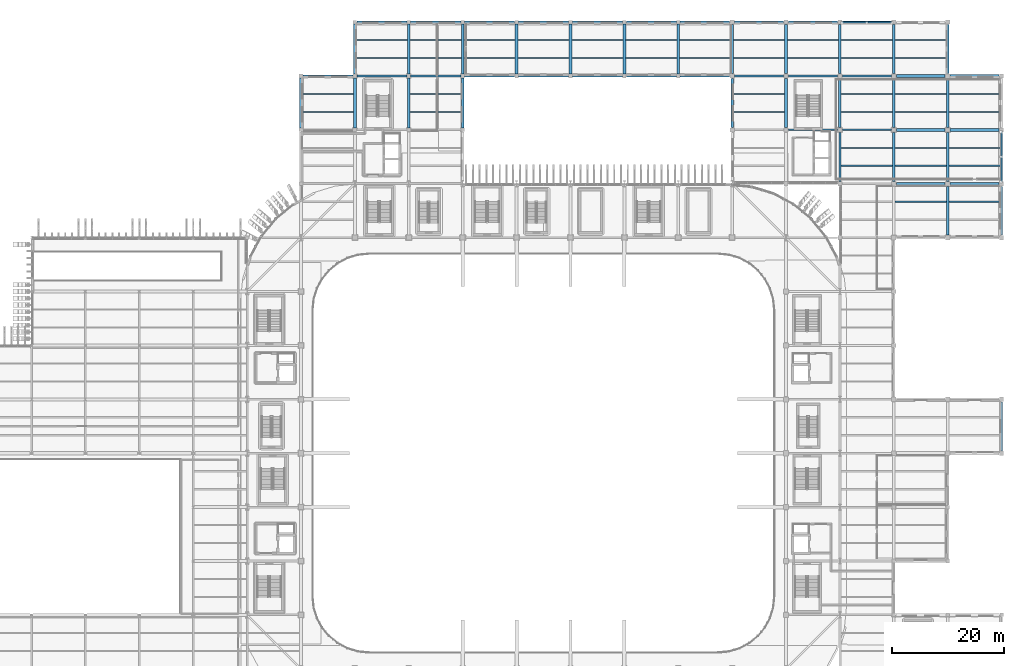
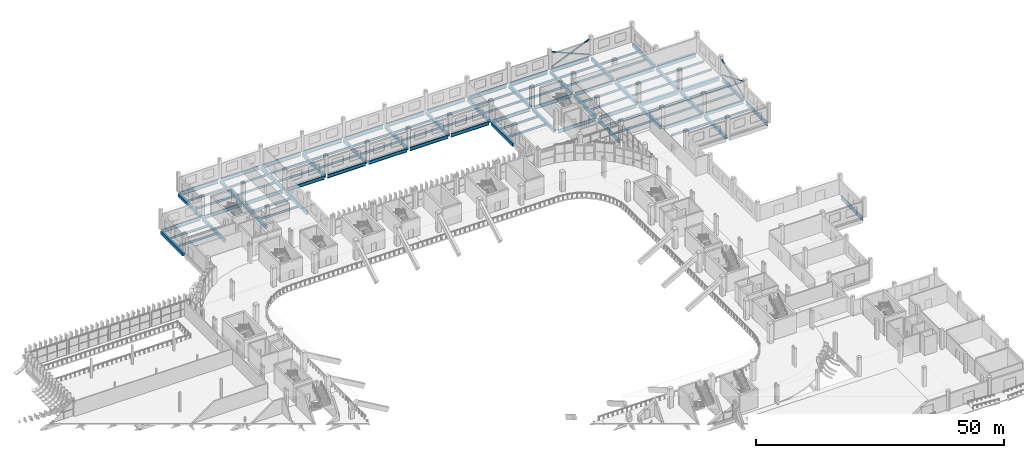
# One storey, part 38 of 100: 99 beams, 6 members.
"""IFC4 building model written with IfcOpenShell, lengths in metres."""

from ifc_helpers import new_model, si_unit, direction, frame, origin, origin_2d, place, context, subcontext, project, spatial, rectangle, hollow_rectangle, i_section, extrude, material, material_profile, profile_set, type_object, element, save


model = new_model("IFC4")

# Units and contexts
model_context = context("Model", 3, precision=1e-05, world=origin(), true_north=direction((0.0, 1.0)))
body_context = subcontext(model_context, "Body", "Model", "MODEL_VIEW")
ifc_project = project(units=[si_unit("LENGTHUNIT", "METRE"), si_unit("AREAUNIT", "SQUARE_METRE"), si_unit("VOLUMEUNIT", "CUBIC_METRE"), si_unit("PLANEANGLEUNIT", "RADIAN"), si_unit("MASSUNIT", "GRAM", prefix="KILO")], contexts=[model_context])

# Site, building, storey
site_placement = place(None, origin())
site = spatial("IfcSite", under=ifc_project, at=site_placement, CompositionType="ELEMENT")
building_placement = place(site_placement, origin())
building = spatial("IfcBuilding", under=site, at=building_placement, Name="Caelomonte Colonnade Arena", CompositionType="ELEMENT")
storey_placement = place(building_placement, origin())
storey = spatial("IfcBuildingStorey", under=building, at=storey_placement, Name="L00", CompositionType="ELEMENT", Elevation=0.0)

# Members
ifc_material_1 = material(Name="Steel ASTM A500 Grade C", Category="steel")
ifc_material_profile_1 = material_profile(ifc_material_1, hollow_rectangle(XDim=0.25390625, YDim=0.25390625, WallThickness=0.009521484375, InnerFilletRadius=0.009521484375, OuterFilletRadius=0.01904296875, at=origin_2d()), Name="HSS254X254X9.5")
ifc_profile_set_1 = profile_set([ifc_material_profile_1], Name="Steel ASTM A500 Grade C")
member_type = type_object("IfcMemberType", Name="STR-BF-DIAG2", PredefinedType="BRACE", material=ifc_profile_set_1)
member_1_placement = place(storey_placement, frame((163.563720703125, 144.0, 0.16162109375), z_axis=(0.920106108092, 0.0, 0.3916691842), x_axis=(0.0, 1.0, 0.0)))
element("IfcMember", 1, at=member_1_placement, inside=storey, type_object=member_type, Name="Braced frame BF3 L00 continuous diagonal A", PredefinedType="BRACE", context=body_context, shape_type="SweptSolid", body=[
    extrude(hollow_rectangle(XDim=0.25390625, YDim=0.25390625, WallThickness=0.009521484375, InnerFilletRadius=0.009521484375, OuterFilletRadius=0.01904296875, at=origin_2d()), origin(), (0.0, 0.0, 1.0), 9.64306640625),
])
for number, where, z_axis, x_axis, name in (
    (2, (172.436279296875, 144.0, 0.16162109375), (-0.920123691246, 0.0, 0.391627875423), (0.0, -1.0, 0.0), "Braced frame BF3 L00 split diagonal B1"),
    (3, (167.84912109375, 144.0, 2.1142578125), (-0.920104801315, 0.0, 0.391672254055), (0.0, -1.0, 0.0), "Braced frame BF3 L00 split diagonal B2"),
):
    element("IfcMember", number, at=place(storey_placement, frame(where, z_axis=z_axis, x_axis=x_axis)), inside=storey, type_object=member_type, Name=name, PredefinedType="BRACE", context=body_context, shape_type="SweptSolid", body=[
        extrude(hollow_rectangle(XDim=0.25390625, YDim=0.25390625, WallThickness=0.009521484375, InnerFilletRadius=0.009521484375, OuterFilletRadius=0.01904296875, at=origin_2d()), origin(), (0.0, 0.0, 1.0), 4.657470703125),
    ])
member_2_placement = place(storey_placement, frame((192.0, 115.563720703125, 0.16162109375), z_axis=(0.0, 0.920106108092, 0.3916691842), x_axis=(-1.0, 0.0, 0.0)))
element("IfcMember", 4, at=member_2_placement, inside=storey, type_object=member_type, Name="Braced frame BF4 L00 continuous diagonal A", PredefinedType="BRACE", context=body_context, shape_type="SweptSolid", body=[
    extrude(hollow_rectangle(XDim=0.25390625, YDim=0.25390625, WallThickness=0.009521484375, InnerFilletRadius=0.009521484375, OuterFilletRadius=0.01904296875, at=origin_2d()), origin(), (0.0, 0.0, 1.0), 9.64306640625),
])
for number, where, z_axis, x_axis, name in (
    (5, (192.0, 124.436279296875, 0.16162109375), (0.0, -0.920123691246, 0.391627875423), (1.0, 0.0, 0.0), "Braced frame BF4 L00 split diagonal B1"),
    (6, (192.0, 119.84912109375, 2.1142578125), (0.0, -0.920104801315, 0.391672254055), (1.0, 0.0, 0.0), "Braced frame BF4 L00 split diagonal B2"),
):
    element("IfcMember", number, at=place(storey_placement, frame(where, z_axis=z_axis, x_axis=x_axis)), inside=storey, type_object=member_type, Name=name, PredefinedType="BRACE", context=body_context, shape_type="SweptSolid", body=[
        extrude(hollow_rectangle(XDim=0.25390625, YDim=0.25390625, WallThickness=0.009521484375, InnerFilletRadius=0.009521484375, OuterFilletRadius=0.01904296875, at=origin_2d()), origin(), (0.0, 0.0, 1.0), 4.657470703125),
    ])

# Beams
ifc_material_2 = material(Name="Wide-flange steel ASTM A992 Grade 50", Category="steel")
ifc_material_profile_2 = material_profile(ifc_material_2, i_section(OverallWidth=0.307861328125, OverallDepth=0.927001953125, WebThickness=0.019287109375, FlangeThickness=0.031982421875, FilletRadius=0.020263671875, at=origin_2d()), Name="W36X194")
ifc_profile_set_2 = profile_set([ifc_material_profile_2], Name="Wide-flange steel ASTM A992 Grade 50")
beam_type_1 = type_object("IfcBeamType", Name="STR-BM-EAVES2", PredefinedType="SPANDREL", material=ifc_profile_set_2)
for number, where, z_axis, x_axis, name in (
    (7, (77.14208984375, 144.0, -0.763427734375), (1.0, 0.0, 0.0), (0.0, 1.0, 0.0), "L00 girder BMX-L00-0768-1440"),
    (8, (86.741943359375, 144.0, -0.763427734375), (1.0, 0.0, 0.0), (0.0, 1.0, 0.0), "L00 girder BMX-L00-0864-1440"),
    (9, (96.342041015625, 144.0, -0.763427734375), (1.0, 0.0, 0.0), (0.0, 1.0, 0.0), "L00 girder BMX-L00-0960-1440"),
    (10, (105.94189453125, 144.0, -0.763427734375), (1.0, 0.0, 0.0), (0.0, 1.0, 0.0), "L00 girder BMX-L00-1056-1440"),
    (11, (115.5419921875, 144.0, -0.763427734375), (1.0, 0.0, 0.0), (0.0, 1.0, 0.0), "L00 girder BMX-L00-1152-1440"),
    (12, (125.14208984375, 144.0, -0.763427734375), (1.0, 0.0, 0.0), (0.0, 1.0, 0.0), "L00 girder BMX-L00-1248-1440"),
):
    element("IfcBeam", number, at=place(storey_placement, frame(where, z_axis=z_axis, x_axis=x_axis)), inside=storey, type_object=beam_type_1, Name=name, PredefinedType="SPANDREL", context=body_context, shape_type="SweptSolid", body=[
        extrude(i_section(OverallWidth=0.307861328125, OverallDepth=0.927001953125, WebThickness=0.019287109375, FlangeThickness=0.031982421875, FilletRadius=0.020263671875, at=origin_2d()), origin(), (0.0, 0.0, 1.0), 8.916015625),
    ])
beam_1_placement = place(storey_placement, frame((134.741943359375, 144.0, -0.763427734375), z_axis=(1.0, 0.0, 0.0), x_axis=(0.0, 1.0, 0.0)))
element("IfcBeam", 13, at=beam_1_placement, inside=storey, type_object=beam_type_1, Name="L00 girder BMX-L00-1344-1440", PredefinedType="SPANDREL", context=body_context, shape_type="SweptSolid", body=[
    extrude(i_section(OverallWidth=0.307861328125, OverallDepth=0.927001953125, WebThickness=0.019287109375, FlangeThickness=0.031982421875, FilletRadius=0.020263671875, at=origin_2d()), origin(), (0.0, 0.0, 1.0), 8.816162109375),
])
for number, where, z_axis, x_axis, name in (
    (14, (144.44189453125, 144.0, -0.763427734375), (1.0, 0.0, 0.0), (0.0, 1.0, 0.0), "L00 girder BMX-L00-1440-1440"),
    (15, (154.0419921875, 144.0, -0.763427734375), (1.0, 0.0, 0.0), (0.0, 1.0, 0.0), "L00 girder BMX-L00-1536-1440"),
):
    element("IfcBeam", number, at=place(storey_placement, frame(where, z_axis=z_axis, x_axis=x_axis)), inside=storey, type_object=beam_type_1, Name=name, PredefinedType="SPANDREL", context=body_context, shape_type="SweptSolid", body=[
        extrude(i_section(OverallWidth=0.307861328125, OverallDepth=0.927001953125, WebThickness=0.019287109375, FlangeThickness=0.031982421875, FilletRadius=0.020263671875, at=origin_2d()), origin(), (0.0, 0.0, 1.0), 8.716064453125),
    ])
for number, where, z_axis, x_axis, name in (
    (16, (163.64208984375, 144.0, -0.763427734375), (1.0, 0.0, 0.0), (0.0, 1.0, 0.0), "L00 girder BMX-L00-1632-1440"),
    (17, (163.199951171875, 115.64208984375, -0.763427734375), (0.0, 1.0, 0.0), (-1.0, 0.0, 0.0), "L00 girder BMY-L00-1632-1152"),
    (18, (192.0, 67.64208984375, -0.763427734375), (0.0, 1.0, 0.0), (-1.0, 0.0, 0.0), "L00 girder BMY-L00-1920-0672"),
):
    element("IfcBeam", number, at=place(storey_placement, frame(where, z_axis=z_axis, x_axis=x_axis)), inside=storey, type_object=beam_type_1, Name=name, PredefinedType="SPANDREL", context=body_context, shape_type="SweptSolid", body=[
        extrude(i_section(OverallWidth=0.307861328125, OverallDepth=0.927001953125, WebThickness=0.019287109375, FlangeThickness=0.031982421875, FilletRadius=0.020263671875, at=origin_2d()), origin(), (0.0, 0.0, 1.0), 8.7158203125),
    ])
beam_2_placement = place(storey_placement, frame((192.0, 106.0419921875, -0.763427734375), z_axis=(0.0, 1.0, 0.0), x_axis=(-1.0, 0.0, 0.0)))
element("IfcBeam", 19, at=beam_2_placement, inside=storey, type_object=beam_type_1, Name="L00 girder BMY-L00-1920-1056", PredefinedType="SPANDREL", context=body_context, shape_type="SweptSolid", body=[
    extrude(i_section(OverallWidth=0.307861328125, OverallDepth=0.927001953125, WebThickness=0.019287109375, FlangeThickness=0.031982421875, FilletRadius=0.020263671875, at=origin_2d()), origin(), (0.0, 0.0, 1.0), 8.716064453125),
])
beam_3_placement = place(storey_placement, frame((192.0, 115.64208984375, -0.763427734375), z_axis=(0.0, 1.0, 0.0), x_axis=(-1.0, 0.0, 0.0)))
element("IfcBeam", 20, at=beam_3_placement, inside=storey, type_object=beam_type_1, Name="L00 girder BMY-L00-1920-1152", PredefinedType="SPANDREL", context=body_context, shape_type="SweptSolid", body=[
    extrude(i_section(OverallWidth=0.307861328125, OverallDepth=0.927001953125, WebThickness=0.019287109375, FlangeThickness=0.031982421875, FilletRadius=0.020263671875, at=origin_2d()), origin(), (0.0, 0.0, 1.0), 8.7158203125),
])
ifc_material_profile_3 = material_profile(ifc_material_2, i_section(OverallWidth=0.2919921875, OverallDepth=0.845703125, WebThickness=0.015380859375, FlangeThickness=0.0244140625, FilletRadius=0.017822265625, at=origin_2d()), Name="W33X141")
ifc_profile_set_3 = profile_set([ifc_material_profile_3], Name="Wide-flange steel ASTM A992 Grade 50")
beam_type_2 = type_object("IfcBeamType", Name="STR-BM-GIRD33", PredefinedType="BEAM", material=ifc_profile_set_3)
beam_4_placement = place(storey_placement, frame((154.0419921875, 124.800048828125, -0.722900390625), z_axis=(1.0, 0.0, 0.0), x_axis=(0.0, 1.0, 0.0)))
element("IfcBeam", 21, at=beam_4_placement, inside=storey, type_object=beam_type_2, Name="L00 girder BMX-L00-1536-1248", PredefinedType="BEAM", context=body_context, shape_type="SweptSolid", body=[
    extrude(i_section(OverallWidth=0.2919921875, OverallDepth=0.845703125, WebThickness=0.015380859375, FlangeThickness=0.0244140625, FilletRadius=0.017822265625, at=origin_2d()), origin(), (0.0, 0.0, 1.0), 8.716064453125),
])
beam_5_placement = place(storey_placement, frame((163.64208984375, 124.800048828125, -0.722900390625), z_axis=(1.0, 0.0, 0.0), x_axis=(0.0, 1.0, 0.0)))
element("IfcBeam", 22, at=beam_5_placement, inside=storey, type_object=beam_type_2, Name="L00 girder BMX-L00-1632-1248", PredefinedType="BEAM", context=body_context, shape_type="SweptSolid", body=[
    extrude(i_section(OverallWidth=0.2919921875, OverallDepth=0.845703125, WebThickness=0.015380859375, FlangeThickness=0.0244140625, FilletRadius=0.017822265625, at=origin_2d()), origin(), (0.0, 0.0, 1.0), 8.7158203125),
])
for number, where, z_axis, x_axis, name in (
    (23, (67.5419921875, 134.39990234375, -0.722900390625), (1.0, 0.0, 0.0), (0.0, 1.0, 0.0), "L00 girder BMX-L00-0672-1344"),
    (24, (77.14208984375, 134.39990234375, -0.722900390625), (1.0, 0.0, 0.0), (0.0, 1.0, 0.0), "L00 girder BMX-L00-0768-1344"),
    (25, (86.741943359375, 134.39990234375, -0.722900390625), (1.0, 0.0, 0.0), (0.0, 1.0, 0.0), "L00 girder BMX-L00-0864-1344"),
    (26, (96.342041015625, 134.39990234375, -0.722900390625), (1.0, 0.0, 0.0), (0.0, 1.0, 0.0), "L00 girder BMX-L00-0960-1344"),
    (27, (105.94189453125, 134.39990234375, -0.722900390625), (1.0, 0.0, 0.0), (0.0, 1.0, 0.0), "L00 girder BMX-L00-1056-1344"),
    (28, (115.5419921875, 134.39990234375, -0.722900390625), (1.0, 0.0, 0.0), (0.0, 1.0, 0.0), "L00 girder BMX-L00-1152-1344"),
    (29, (125.14208984375, 134.39990234375, -0.722900390625), (1.0, 0.0, 0.0), (0.0, 1.0, 0.0), "L00 girder BMX-L00-1248-1344"),
):
    element("IfcBeam", number, at=place(storey_placement, frame(where, z_axis=z_axis, x_axis=x_axis)), inside=storey, type_object=beam_type_2, Name=name, PredefinedType="BEAM", context=body_context, shape_type="SweptSolid", body=[
        extrude(i_section(OverallWidth=0.2919921875, OverallDepth=0.845703125, WebThickness=0.015380859375, FlangeThickness=0.0244140625, FilletRadius=0.017822265625, at=origin_2d()), origin(), (0.0, 0.0, 1.0), 8.916015625),
    ])
beam_6_placement = place(storey_placement, frame((134.741943359375, 134.39990234375, -0.722900390625), z_axis=(1.0, 0.0, 0.0), x_axis=(0.0, 1.0, 0.0)))
element("IfcBeam", 30, at=beam_6_placement, inside=storey, type_object=beam_type_2, Name="L00 girder BMX-L00-1344-1344", PredefinedType="BEAM", context=body_context, shape_type="SweptSolid", body=[
    extrude(i_section(OverallWidth=0.2919921875, OverallDepth=0.845703125, WebThickness=0.015380859375, FlangeThickness=0.0244140625, FilletRadius=0.017822265625, at=origin_2d()), origin(), (0.0, 0.0, 1.0), 8.816162109375),
])
for number, where, z_axis, x_axis, name in (
    (31, (144.44189453125, 134.39990234375, -0.722900390625), (1.0, 0.0, 0.0), (0.0, 1.0, 0.0), "L00 girder BMX-L00-1440-1344"),
    (32, (154.0419921875, 134.39990234375, -0.722900390625), (1.0, 0.0, 0.0), (0.0, 1.0, 0.0), "L00 girder BMX-L00-1536-1344"),
):
    element("IfcBeam", number, at=place(storey_placement, frame(where, z_axis=z_axis, x_axis=x_axis)), inside=storey, type_object=beam_type_2, Name=name, PredefinedType="BEAM", context=body_context, shape_type="SweptSolid", body=[
        extrude(i_section(OverallWidth=0.2919921875, OverallDepth=0.845703125, WebThickness=0.015380859375, FlangeThickness=0.0244140625, FilletRadius=0.017822265625, at=origin_2d()), origin(), (0.0, 0.0, 1.0), 8.716064453125),
    ])
beam_7_placement = place(storey_placement, frame((163.64208984375, 134.39990234375, -0.722900390625), z_axis=(1.0, 0.0, 0.0), x_axis=(0.0, 1.0, 0.0)))
element("IfcBeam", 33, at=beam_7_placement, inside=storey, type_object=beam_type_2, Name="L00 girder BMX-L00-1632-1344", PredefinedType="BEAM", context=body_context, shape_type="SweptSolid", body=[
    extrude(i_section(OverallWidth=0.2919921875, OverallDepth=0.845703125, WebThickness=0.015380859375, FlangeThickness=0.0244140625, FilletRadius=0.017822265625, at=origin_2d()), origin(), (0.0, 0.0, 1.0), 8.7158203125),
])
ifc_material_profile_4 = material_profile(ifc_material_2, i_section(OverallWidth=0.209228515625, OverallDepth=0.533447265625, WebThickness=0.01025390625, FlangeThickness=0.015625, FilletRadius=0.0126953125, at=origin_2d()), Name="W21X62")
ifc_profile_set_4 = profile_set([ifc_material_profile_4], Name="Wide-flange steel ASTM A992 Grade 50")
beam_type_3 = type_object("IfcBeamType", Name="STR-BM-JOIST21", PredefinedType="JOIST", material=ifc_profile_set_4)
for number, where, z_axis, x_axis, name in (
    (34, (67.445068359375, 128.0, -0.566650390625), (1.0, 0.0, 0.0), (0.0, 1.0, 0.0), "L00 secondary joist 1"),
    (35, (67.445068359375, 131.199951171875, -0.566650390625), (1.0, 0.0, 0.0), (0.0, 1.0, 0.0), "L00 secondary joist 2"),
):
    element("IfcBeam", number, at=place(storey_placement, frame(where, z_axis=z_axis, x_axis=x_axis)), inside=storey, type_object=beam_type_3, Name=name, PredefinedType="JOIST", context=body_context, shape_type="SweptSolid", body=[
        extrude(i_section(OverallWidth=0.209228515625, OverallDepth=0.533447265625, WebThickness=0.01025390625, FlangeThickness=0.015625, FilletRadius=0.0126953125, at=origin_2d()), origin(), (0.0, 0.0, 1.0), 9.10986328125),
    ])
for number, where, z_axis, x_axis, name in (
    (36, (77.044921875, 137.60009765625, -0.566650390625), (1.0, 0.0, 0.0), (0.0, 1.0, 0.0), "L00 secondary joist 1"),
    (37, (77.044921875, 140.800048828125, -0.566650390625), (1.0, 0.0, 0.0), (0.0, 1.0, 0.0), "L00 secondary joist 2"),
):
    element("IfcBeam", number, at=place(storey_placement, frame(where, z_axis=z_axis, x_axis=x_axis)), inside=storey, type_object=beam_type_3, Name=name, PredefinedType="JOIST", context=body_context, shape_type="SweptSolid", body=[
        extrude(i_section(OverallWidth=0.209228515625, OverallDepth=0.533447265625, WebThickness=0.01025390625, FlangeThickness=0.015625, FilletRadius=0.0126953125, at=origin_2d()), origin(), (0.0, 0.0, 1.0), 9.110107421875),
    ])
for number, where, z_axis, x_axis, name in (
    (38, (86.64501953125, 128.0, -0.566650390625), (1.0, 0.0, 0.0), (0.0, 1.0, 0.0), "L00 secondary joist 1"),
    (39, (86.64501953125, 131.199951171875, -0.566650390625), (1.0, 0.0, 0.0), (0.0, 1.0, 0.0), "L00 secondary joist 2"),
    (40, (86.64501953125, 137.60009765625, -0.566650390625), (1.0, 0.0, 0.0), (0.0, 1.0, 0.0), "L00 secondary joist 1"),
    (41, (86.64501953125, 140.800048828125, -0.566650390625), (1.0, 0.0, 0.0), (0.0, 1.0, 0.0), "L00 secondary joist 2"),
    (42, (96.2451171875, 137.60009765625, -0.566650390625), (1.0, 0.0, 0.0), (0.0, 1.0, 0.0), "L00 secondary joist 1"),
    (43, (96.2451171875, 140.800048828125, -0.566650390625), (1.0, 0.0, 0.0), (0.0, 1.0, 0.0), "L00 secondary joist 2"),
):
    element("IfcBeam", number, at=place(storey_placement, frame(where, z_axis=z_axis, x_axis=x_axis)), inside=storey, type_object=beam_type_3, Name=name, PredefinedType="JOIST", context=body_context, shape_type="SweptSolid", body=[
        extrude(i_section(OverallWidth=0.209228515625, OverallDepth=0.533447265625, WebThickness=0.01025390625, FlangeThickness=0.015625, FilletRadius=0.0126953125, at=origin_2d()), origin(), (0.0, 0.0, 1.0), 9.10986328125),
    ])
for number, where, z_axis, x_axis, name in (
    (44, (105.844970703125, 137.60009765625, -0.566650390625), (1.0, 0.0, 0.0), (0.0, 1.0, 0.0), "L00 secondary joist 1"),
    (45, (105.844970703125, 140.800048828125, -0.566650390625), (1.0, 0.0, 0.0), (0.0, 1.0, 0.0), "L00 secondary joist 2"),
):
    element("IfcBeam", number, at=place(storey_placement, frame(where, z_axis=z_axis, x_axis=x_axis)), inside=storey, type_object=beam_type_3, Name=name, PredefinedType="JOIST", context=body_context, shape_type="SweptSolid", body=[
        extrude(i_section(OverallWidth=0.209228515625, OverallDepth=0.533447265625, WebThickness=0.01025390625, FlangeThickness=0.015625, FilletRadius=0.0126953125, at=origin_2d()), origin(), (0.0, 0.0, 1.0), 9.110107421875),
    ])
for number, where, z_axis, x_axis, name in (
    (46, (115.445068359375, 137.60009765625, -0.566650390625), (1.0, 0.0, 0.0), (0.0, 1.0, 0.0), "L00 secondary joist 1"),
    (47, (115.445068359375, 140.800048828125, -0.566650390625), (1.0, 0.0, 0.0), (0.0, 1.0, 0.0), "L00 secondary joist 2"),
):
    element("IfcBeam", number, at=place(storey_placement, frame(where, z_axis=z_axis, x_axis=x_axis)), inside=storey, type_object=beam_type_3, Name=name, PredefinedType="JOIST", context=body_context, shape_type="SweptSolid", body=[
        extrude(i_section(OverallWidth=0.209228515625, OverallDepth=0.533447265625, WebThickness=0.01025390625, FlangeThickness=0.015625, FilletRadius=0.0126953125, at=origin_2d()), origin(), (0.0, 0.0, 1.0), 9.10986328125),
    ])
for number, where, z_axis, x_axis, name in (
    (48, (125.044921875, 137.60009765625, -0.566650390625), (1.0, 0.0, 0.0), (0.0, 1.0, 0.0), "L00 secondary joist 1"),
    (49, (125.044921875, 140.800048828125, -0.566650390625), (1.0, 0.0, 0.0), (0.0, 1.0, 0.0), "L00 secondary joist 2"),
):
    element("IfcBeam", number, at=place(storey_placement, frame(where, z_axis=z_axis, x_axis=x_axis)), inside=storey, type_object=beam_type_3, Name=name, PredefinedType="JOIST", context=body_context, shape_type="SweptSolid", body=[
        extrude(i_section(OverallWidth=0.209228515625, OverallDepth=0.533447265625, WebThickness=0.01025390625, FlangeThickness=0.015625, FilletRadius=0.0126953125, at=origin_2d()), origin(), (0.0, 0.0, 1.0), 9.110107421875),
    ])
for number, where, z_axis, x_axis, name in (
    (50, (134.64501953125, 137.60009765625, -0.566650390625), (1.0, 0.0, 0.0), (0.0, 1.0, 0.0), "L00 secondary joist 1"),
    (51, (134.64501953125, 140.800048828125, -0.566650390625), (1.0, 0.0, 0.0), (0.0, 1.0, 0.0), "L00 secondary joist 2"),
    (52, (144.2451171875, 128.0, -0.566650390625), (1.0, 0.0, 0.0), (0.0, 1.0, 0.0), "L00 secondary joist 1"),
    (53, (144.2451171875, 131.199951171875, -0.566650390625), (1.0, 0.0, 0.0), (0.0, 1.0, 0.0), "L00 secondary joist 2"),
    (54, (144.2451171875, 137.60009765625, -0.566650390625), (1.0, 0.0, 0.0), (0.0, 1.0, 0.0), "L00 secondary joist 1"),
    (55, (144.2451171875, 140.800048828125, -0.566650390625), (1.0, 0.0, 0.0), (0.0, 1.0, 0.0), "L00 secondary joist 2"),
):
    element("IfcBeam", number, at=place(storey_placement, frame(where, z_axis=z_axis, x_axis=x_axis)), inside=storey, type_object=beam_type_3, Name=name, PredefinedType="JOIST", context=body_context, shape_type="SweptSolid", body=[
        extrude(i_section(OverallWidth=0.209228515625, OverallDepth=0.533447265625, WebThickness=0.01025390625, FlangeThickness=0.015625, FilletRadius=0.0126953125, at=origin_2d()), origin(), (0.0, 0.0, 1.0), 9.10986328125),
    ])
for number, where, z_axis, x_axis, name in (
    (56, (153.844970703125, 137.60009765625, -0.566650390625), (1.0, 0.0, 0.0), (0.0, 1.0, 0.0), "L00 secondary joist 1"),
    (57, (153.844970703125, 140.800048828125, -0.566650390625), (1.0, 0.0, 0.0), (0.0, 1.0, 0.0), "L00 secondary joist 2"),
):
    element("IfcBeam", number, at=place(storey_placement, frame(where, z_axis=z_axis, x_axis=x_axis)), inside=storey, type_object=beam_type_3, Name=name, PredefinedType="JOIST", context=body_context, shape_type="SweptSolid", body=[
        extrude(i_section(OverallWidth=0.209228515625, OverallDepth=0.533447265625, WebThickness=0.01025390625, FlangeThickness=0.015625, FilletRadius=0.0126953125, at=origin_2d()), origin(), (0.0, 0.0, 1.0), 9.135009765625),
    ])
for number, where, z_axis, x_axis, name in (
    (58, (163.348876953125, 118.39990234375, -0.566650390625), (1.0, 0.0, 0.0), (0.0, 1.0, 0.0), "L00 secondary joist 1"),
    (59, (163.348876953125, 121.60009765625, -0.566650390625), (1.0, 0.0, 0.0), (0.0, 1.0, 0.0), "L00 secondary joist 2"),
):
    element("IfcBeam", number, at=place(storey_placement, frame(where, z_axis=z_axis, x_axis=x_axis)), inside=storey, type_object=beam_type_3, Name=name, PredefinedType="JOIST", context=body_context, shape_type="SweptSolid", body=[
        extrude(i_section(OverallWidth=0.209228515625, OverallDepth=0.533447265625, WebThickness=0.01025390625, FlangeThickness=0.015625, FilletRadius=0.0126953125, at=origin_2d()), origin(), (0.0, 0.0, 1.0), 9.2060546875),
    ])
for number, where, z_axis, x_axis, name in (
    (60, (163.419921875, 128.0, -0.566650390625), (1.0, 0.0, 0.0), (0.0, 1.0, 0.0), "L00 secondary joist 1"),
    (61, (163.419921875, 131.199951171875, -0.566650390625), (1.0, 0.0, 0.0), (0.0, 1.0, 0.0), "L00 secondary joist 2"),
    (62, (163.419921875, 137.60009765625, -0.566650390625), (1.0, 0.0, 0.0), (0.0, 1.0, 0.0), "L00 secondary joist 1"),
    (63, (163.419921875, 140.800048828125, -0.566650390625), (1.0, 0.0, 0.0), (0.0, 1.0, 0.0), "L00 secondary joist 2"),
):
    element("IfcBeam", number, at=place(storey_placement, frame(where, z_axis=z_axis, x_axis=x_axis)), inside=storey, type_object=beam_type_3, Name=name, PredefinedType="JOIST", context=body_context, shape_type="SweptSolid", body=[
        extrude(i_section(OverallWidth=0.209228515625, OverallDepth=0.533447265625, WebThickness=0.01025390625, FlangeThickness=0.015625, FilletRadius=0.0126953125, at=origin_2d()), origin(), (0.0, 0.0, 1.0), 9.135009765625),
    ])
for number, where, z_axis, x_axis, name in (
    (64, (173.044921875, 112.0, -0.566650390625), (1.0, 0.0, 0.0), (0.0, 1.0, 0.0), "L00 secondary joist 2"),
    (65, (173.044921875, 118.39990234375, -0.566650390625), (1.0, 0.0, 0.0), (0.0, 1.0, 0.0), "L00 secondary joist 1"),
    (66, (173.044921875, 121.60009765625, -0.566650390625), (1.0, 0.0, 0.0), (0.0, 1.0, 0.0), "L00 secondary joist 2"),
    (67, (173.044921875, 128.0, -0.566650390625), (1.0, 0.0, 0.0), (0.0, 1.0, 0.0), "L00 secondary joist 1"),
    (68, (173.044921875, 131.199951171875, -0.566650390625), (1.0, 0.0, 0.0), (0.0, 1.0, 0.0), "L00 secondary joist 2"),
    (69, (173.044921875, 137.60009765625, -0.566650390625), (1.0, 0.0, 0.0), (0.0, 1.0, 0.0), "L00 secondary joist 1"),
    (70, (173.044921875, 140.800048828125, -0.566650390625), (1.0, 0.0, 0.0), (0.0, 1.0, 0.0), "L00 secondary joist 2"),
):
    element("IfcBeam", number, at=place(storey_placement, frame(where, z_axis=z_axis, x_axis=x_axis)), inside=storey, type_object=beam_type_3, Name=name, PredefinedType="JOIST", context=body_context, shape_type="SweptSolid", body=[
        extrude(i_section(OverallWidth=0.209228515625, OverallDepth=0.533447265625, WebThickness=0.01025390625, FlangeThickness=0.015625, FilletRadius=0.0126953125, at=origin_2d()), origin(), (0.0, 0.0, 1.0), 9.110107421875),
    ])
for number, where, z_axis, x_axis, name in (
    (71, (182.64501953125, 112.0, -0.566650390625), (1.0, 0.0, 0.0), (0.0, 1.0, 0.0), "L00 secondary joist 2"),
    (72, (182.64501953125, 118.39990234375, -0.566650390625), (1.0, 0.0, 0.0), (0.0, 1.0, 0.0), "L00 secondary joist 1"),
    (73, (182.64501953125, 121.60009765625, -0.566650390625), (1.0, 0.0, 0.0), (0.0, 1.0, 0.0), "L00 secondary joist 2"),
):
    element("IfcBeam", number, at=place(storey_placement, frame(where, z_axis=z_axis, x_axis=x_axis)), inside=storey, type_object=beam_type_3, Name=name, PredefinedType="JOIST", context=body_context, shape_type="SweptSolid", body=[
        extrude(i_section(OverallWidth=0.209228515625, OverallDepth=0.533447265625, WebThickness=0.01025390625, FlangeThickness=0.015625, FilletRadius=0.0126953125, at=origin_2d()), origin(), (0.0, 0.0, 1.0), 9.2060546875),
    ])
for number, where, z_axis, x_axis, name in (
    (74, (182.64501953125, 128.0, -0.566650390625), (1.0, 0.0, 0.0), (0.0, 1.0, 0.0), "L00 secondary joist 1"),
    (75, (182.64501953125, 131.199951171875, -0.566650390625), (1.0, 0.0, 0.0), (0.0, 1.0, 0.0), "L00 secondary joist 2"),
):
    element("IfcBeam", number, at=place(storey_placement, frame(where, z_axis=z_axis, x_axis=x_axis)), inside=storey, type_object=beam_type_3, Name=name, PredefinedType="JOIST", context=body_context, shape_type="SweptSolid", body=[
        extrude(i_section(OverallWidth=0.209228515625, OverallDepth=0.533447265625, WebThickness=0.01025390625, FlangeThickness=0.015625, FilletRadius=0.0126953125, at=origin_2d()), origin(), (0.0, 0.0, 1.0), 9.135009765625),
    ])
ifc_material_3 = material(Name="Concrete C40/50", Category="concrete")
ifc_material_profile_5 = material_profile(ifc_material_3, rectangle(XDim=0.5, YDim=0.800048828125, at=origin_2d()), Name="RC500X800")
ifc_profile_set_5 = profile_set([ifc_material_profile_5], Name="Concrete C40/50")
beam_type_4 = type_object("IfcBeamType", Name="STR-BM-RC50", PredefinedType="BEAM", material=ifc_profile_set_5)
for number, where, z_axis, x_axis, name in (
    (76, (67.199951171875, 125.14208984375, -0.699951171875), (0.0, 1.0, 0.0), (-1.0, 0.0, 0.0), "L00 girder BMY-L00-0672-1248"),
    (77, (76.800048828125, 125.14208984375, -0.699951171875), (0.0, 1.0, 0.0), (-1.0, 0.0, 0.0), "L00 girder BMY-L00-0768-1248"),
    (78, (76.800048828125, 134.741943359375, -0.699951171875), (0.0, 1.0, 0.0), (-1.0, 0.0, 0.0), "L00 girder BMY-L00-0768-1344"),
    (79, (86.39990234375, 125.14208984375, -0.699951171875), (0.0, 1.0, 0.0), (-1.0, 0.0, 0.0), "L00 girder BMY-L00-0864-1248"),
    (80, (86.39990234375, 134.741943359375, -0.699951171875), (0.0, 1.0, 0.0), (-1.0, 0.0, 0.0), "L00 girder BMY-L00-0864-1344"),
    (81, (96.0, 125.14208984375, -0.699951171875), (0.0, 1.0, 0.0), (-1.0, 0.0, 0.0), "L00 girder BMY-L00-0960-1248"),
    (82, (96.0, 134.741943359375, -0.699951171875), (0.0, 1.0, 0.0), (-1.0, 0.0, 0.0), "L00 girder BMY-L00-0960-1344"),
    (83, (105.60009765625, 134.741943359375, -0.699951171875), (0.0, 1.0, 0.0), (-1.0, 0.0, 0.0), "L00 girder BMY-L00-1056-1344"),
    (84, (115.199951171875, 134.741943359375, -0.699951171875), (0.0, 1.0, 0.0), (-1.0, 0.0, 0.0), "L00 girder BMY-L00-1152-1344"),
    (85, (124.800048828125, 134.741943359375, -0.699951171875), (0.0, 1.0, 0.0), (-1.0, 0.0, 0.0), "L00 girder BMY-L00-1248-1344"),
    (86, (134.39990234375, 134.741943359375, -0.699951171875), (0.0, 1.0, 0.0), (-1.0, 0.0, 0.0), "L00 girder BMY-L00-1344-1344"),
):
    element("IfcBeam", number, at=place(storey_placement, frame(where, z_axis=z_axis, x_axis=x_axis)), inside=storey, type_object=beam_type_4, Name=name, PredefinedType="BEAM", context=body_context, shape_type="SweptSolid", body=[
        extrude(rectangle(XDim=0.5, YDim=0.800048828125, at=origin_2d()), origin(), (0.0, 0.0, 1.0), 8.916015625),
    ])
for number, where, z_axis, x_axis, name in (
    (87, (144.0, 125.241943359375, -0.699951171875), (0.0, 1.0, 0.0), (-1.0, 0.0, 0.0), "L00 girder BMY-L00-1440-1248"),
    (88, (144.0, 134.842041015625, -0.699951171875), (0.0, 1.0, 0.0), (-1.0, 0.0, 0.0), "L00 girder BMY-L00-1440-1344"),
    (89, (153.60009765625, 125.241943359375, -0.699951171875), (0.0, 1.0, 0.0), (-1.0, 0.0, 0.0), "L00 girder BMY-L00-1536-1248"),
    (90, (153.60009765625, 134.842041015625, -0.699951171875), (0.0, 1.0, 0.0), (-1.0, 0.0, 0.0), "L00 girder BMY-L00-1536-1344"),
):
    element("IfcBeam", number, at=place(storey_placement, frame(where, z_axis=z_axis, x_axis=x_axis)), inside=storey, type_object=beam_type_4, Name=name, PredefinedType="BEAM", context=body_context, shape_type="SweptSolid", body=[
        extrude(rectangle(XDim=0.5, YDim=0.800048828125, at=origin_2d()), origin(), (0.0, 0.0, 1.0), 8.716064453125),
    ])
beam_8_placement = place(storey_placement, frame((172.800048828125, 115.64208984375, -0.699951171875), z_axis=(0.0, 1.0, 0.0), x_axis=(-1.0, 0.0, 0.0)))
element("IfcBeam", 91, at=beam_8_placement, inside=storey, type_object=beam_type_4, Name="L00 girder BMY-L00-1728-1152", PredefinedType="BEAM", context=body_context, shape_type="SweptSolid", body=[
    extrude(rectangle(XDim=0.5, YDim=0.800048828125, at=origin_2d()), origin(), (0.0, 0.0, 1.0), 8.7158203125),
])
for number, where, z_axis, x_axis, name in (
    (92, (172.800048828125, 125.241943359375, -0.699951171875), (0.0, 1.0, 0.0), (-1.0, 0.0, 0.0), "L00 girder BMY-L00-1728-1248"),
    (93, (172.800048828125, 134.842041015625, -0.699951171875), (0.0, 1.0, 0.0), (-1.0, 0.0, 0.0), "L00 girder BMY-L00-1728-1344"),
    (94, (182.39990234375, 106.0419921875, -0.699951171875), (0.0, 1.0, 0.0), (-1.0, 0.0, 0.0), "L00 girder BMY-L00-1824-1056"),
):
    element("IfcBeam", number, at=place(storey_placement, frame(where, z_axis=z_axis, x_axis=x_axis)), inside=storey, type_object=beam_type_4, Name=name, PredefinedType="BEAM", context=body_context, shape_type="SweptSolid", body=[
        extrude(rectangle(XDim=0.5, YDim=0.800048828125, at=origin_2d()), origin(), (0.0, 0.0, 1.0), 8.716064453125),
    ])
beam_9_placement = place(storey_placement, frame((182.39990234375, 115.64208984375, -0.699951171875), z_axis=(0.0, 1.0, 0.0), x_axis=(-1.0, 0.0, 0.0)))
element("IfcBeam", 95, at=beam_9_placement, inside=storey, type_object=beam_type_4, Name="L00 girder BMY-L00-1824-1152", PredefinedType="BEAM", context=body_context, shape_type="SweptSolid", body=[
    extrude(rectangle(XDim=0.5, YDim=0.800048828125, at=origin_2d()), origin(), (0.0, 0.0, 1.0), 8.7158203125),
])
for number, where, z_axis, x_axis, name in (
    (96, (182.39990234375, 125.241943359375, -0.699951171875), (0.0, 1.0, 0.0), (-1.0, 0.0, 0.0), "L00 girder BMY-L00-1824-1248"),
    (97, (182.39990234375, 134.842041015625, -0.699951171875), (0.0, 1.0, 0.0), (-1.0, 0.0, 0.0), "L00 girder BMY-L00-1824-1344"),
):
    element("IfcBeam", number, at=place(storey_placement, frame(where, z_axis=z_axis, x_axis=x_axis)), inside=storey, type_object=beam_type_4, Name=name, PredefinedType="BEAM", context=body_context, shape_type="SweptSolid", body=[
        extrude(rectangle(XDim=0.5, YDim=0.800048828125, at=origin_2d()), origin(), (0.0, 0.0, 1.0), 8.716064453125),
    ])
ifc_material_profile_6 = material_profile(ifc_material_3, rectangle(XDim=0.550048828125, YDim=0.89990234375, at=origin_2d()), Name="RC550X900")
ifc_profile_set_6 = profile_set([ifc_material_profile_6], Name="Concrete C40/50")
beam_type_5 = type_object("IfcBeamType", Name="STR-BM-RC55", PredefinedType="BEAM", material=ifc_profile_set_6)
for number, where, z_axis, x_axis, name in (
    (98, (173.241943359375, 124.800048828125, -0.75), (1.0, 0.0, 0.0), (0.0, 1.0, 0.0), "L00 girder BMX-L00-1728-1248"),
    (99, (182.842041015625, 124.800048828125, -0.75), (1.0, 0.0, 0.0), (0.0, 1.0, 0.0), "L00 girder BMX-L00-1824-1248"),
    (100, (173.241943359375, 134.39990234375, -0.75), (1.0, 0.0, 0.0), (0.0, 1.0, 0.0), "L00 girder BMX-L00-1728-1344"),
    (101, (182.842041015625, 134.39990234375, -0.75), (1.0, 0.0, 0.0), (0.0, 1.0, 0.0), "L00 girder BMX-L00-1824-1344"),
):
    element("IfcBeam", number, at=place(storey_placement, frame(where, z_axis=z_axis, x_axis=x_axis)), inside=storey, type_object=beam_type_5, Name=name, PredefinedType="BEAM", context=body_context, shape_type="SweptSolid", body=[
        extrude(rectangle(XDim=0.550048828125, YDim=0.89990234375, at=origin_2d()), origin(), (0.0, 0.0, 1.0), 8.716064453125),
    ])
ifc_material_profile_7 = material_profile(ifc_material_3, rectangle(XDim=0.449951171875, YDim=0.75, at=origin_2d()), Name="RC450X750")
ifc_profile_set_7 = profile_set([ifc_material_profile_7], Name="Concrete C40/50")
beam_type_6 = type_object("IfcBeamType", Name="STR-BM-SPAN24", PredefinedType="SPANDREL", material=ifc_profile_set_7)
for number, where, z_axis, x_axis, name in (
    (102, (173.241943359375, 115.199951171875, -0.675048828125), (1.0, 0.0, 0.0), (0.0, 1.0, 0.0), "L00 girder BMX-L00-1728-1152"),
    (103, (182.842041015625, 115.199951171875, -0.675048828125), (1.0, 0.0, 0.0), (0.0, 1.0, 0.0), "L00 girder BMX-L00-1824-1152"),
    (104, (163.199951171875, 125.241943359375, -0.675048828125), (0.0, 1.0, 0.0), (-1.0, 0.0, 0.0), "L00 girder BMY-L00-1632-1248"),
    (105, (163.199951171875, 134.842041015625, -0.675048828125), (0.0, 1.0, 0.0), (-1.0, 0.0, 0.0), "L00 girder BMY-L00-1632-1344"),
):
    element("IfcBeam", number, at=place(storey_placement, frame(where, z_axis=z_axis, x_axis=x_axis)), inside=storey, type_object=beam_type_6, Name=name, PredefinedType="SPANDREL", context=body_context, shape_type="SweptSolid", body=[
        extrude(rectangle(XDim=0.449951171875, YDim=0.75, at=origin_2d()), origin(), (0.0, 0.0, 1.0), 8.716064453125),
    ])

save(model, "model.ifc")
